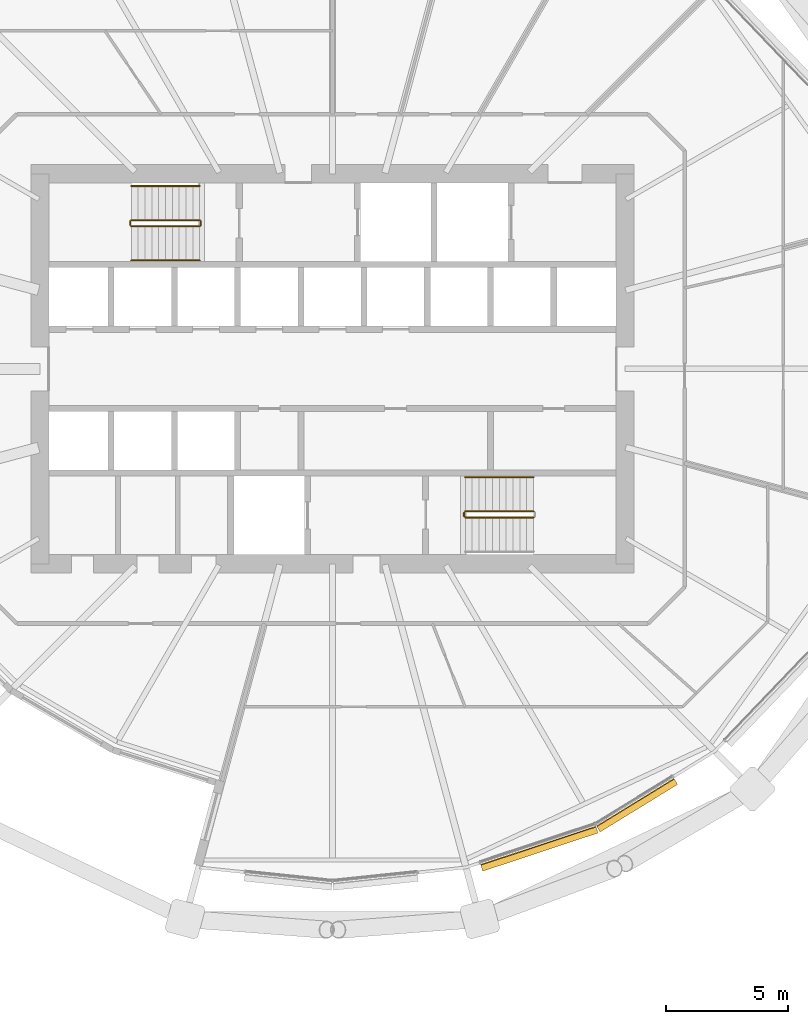
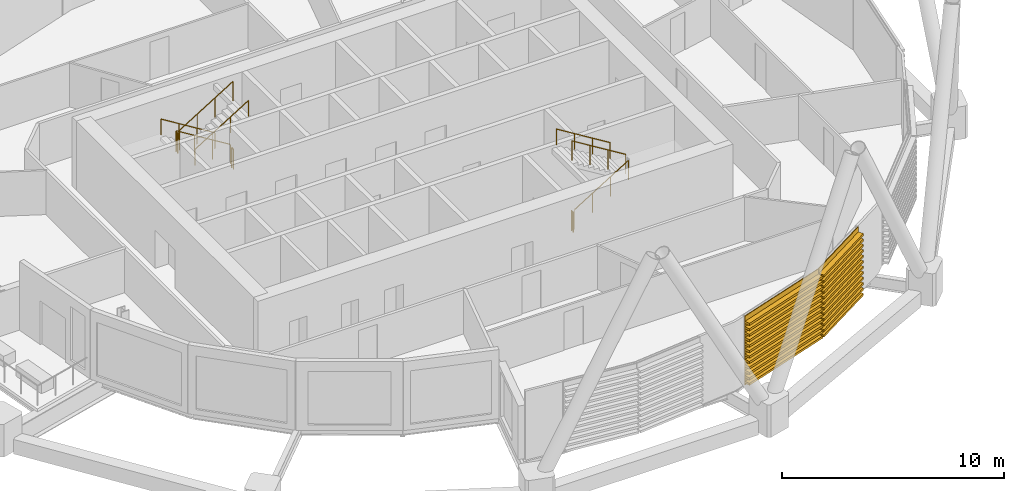
# One storey, part 32 of 38: 10 railings, 2 coverings.
"""IFC4 building model written with IfcOpenShell, lengths in metres."""

import ifcopenshell
import ifcopenshell.guid

model = None  # the IFC model being written
_history = None  # IfcOwnerHistory: only IFC2X3 demands one
_inside = {}  # id of a spatial element -> (the spatial element, [elements in it])
_under = {}  # id of a project, library or spatial element -> (it, [spatial elements below it])
_declared = {}  # id of a project -> (the project, [libraries it declares])
_typed = {}  # id of a type object -> (the type object, [elements of that type])
_made_of = {}  # id of a material, layer set ... -> (it, [elements and type objects made of it])


def new_model(schema):
    """Start an empty IFC model of exactly this schema.

    Asked for "IFC4X3", IfcOpenShell would pick the latest addendum, in which some entities
    have other attributes; the version numbers below select the first issue.
    IFC2X3 requires an IfcOwnerHistory on every rooted entity: one is made here for all.
    """
    global model, _history
    if schema == "IFC4X3":
        model = ifcopenshell.file(schema_version=(4, 3, 0, 0))
    else:
        model = ifcopenshell.file(schema=schema)
    _inside.clear()
    _under.clear()
    _declared.clear()
    _typed.clear()
    _made_of.clear()
    _history = None
    if model.schema == "IFC2X3":
        org = make("IfcOrganization", Name="unknown")
        user = make(
            "IfcPersonAndOrganization",
            ThePerson=make("IfcPerson", FamilyName="unknown"),
            TheOrganization=org,
        )
        app = make(
            "IfcApplication",
            ApplicationDeveloper=org,
            Version="unknown",
            ApplicationFullName="unknown",
            ApplicationIdentifier="unknown",
        )
        _history = make(
            "IfcOwnerHistory",
            OwningUser=user,
            OwningApplication=app,
            ChangeAction="ADDED",
            CreationDate=0,
        )
    return model


def make(cls, **values):
    """One entity of the class cls with the attributes given. An attribute that is None is left unset."""
    return model.create_entity(
        cls, **{name: value for name, value in values.items() if value is not None}
    )


def rooted(cls, **values):
    """An entity with a GlobalId (a new one), such as an element, a storey or a relation."""
    return make(cls, GlobalId=ifcopenshell.guid.new(), OwnerHistory=_history, **values)


def si_unit(unit_type, name, prefix=None):
    """IfcSIUnit, for example si_unit("LENGTHUNIT", "METRE", prefix="MILLI")."""
    return make("IfcSIUnit", UnitType=unit_type, Prefix=prefix, Name=name)


def assignment(units):
    """IfcUnitAssignment: the units of a project."""
    return None if units is None else make("IfcUnitAssignment", Units=units)


def point(xyz):
    """IfcCartesianPoint."""
    return None if xyz is None else make("IfcCartesianPoint", Coordinates=xyz)


def direction(xyz):
    """IfcDirection."""
    return None if xyz is None else make("IfcDirection", DirectionRatios=xyz)


def frame(location, z_axis=None, x_axis=None):
    """IfcAxis2Placement3D, a coordinate frame: its origin and axes. An axis left out is left unset."""
    return make(
        "IfcAxis2Placement3D",
        Location=point(location),
        Axis=direction(z_axis),
        RefDirection=direction(x_axis),
    )


def frame_2d(location, x_axis=None):
    """IfcAxis2Placement2D, a coordinate frame in the plane: its origin and x axis."""
    return make(
        "IfcAxis2Placement2D", Location=point(location), RefDirection=direction(x_axis)
    )


def origin():
    """The frame at (0, 0, 0) with its axes left unset."""
    return frame((0.0, 0.0, 0.0))


def origin_2d():
    """The frame at (0, 0) in the plane with its x axis left unset."""
    return frame_2d((0.0, 0.0))


def place(relative_to, where):
    """IfcLocalPlacement: puts the frame where relative to a parent placement (None: the world)."""
    return make(
        "IfcLocalPlacement", PlacementRelTo=relative_to, RelativePlacement=where
    )


def context(
    kind, dimensions, precision=None, world=None, true_north=None, identifier=None
):
    """IfcGeometricRepresentationContext, for example the 3D "Model" context."""
    return make(
        "IfcGeometricRepresentationContext",
        ContextIdentifier=identifier,
        ContextType=kind,
        CoordinateSpaceDimension=dimensions,
        Precision=precision,
        WorldCoordinateSystem=world,
        TrueNorth=true_north,
    )


def subcontext(parent, identifier, kind, view, scale=None):
    """IfcGeometricRepresentationSubContext, for example "Body" below "Model"."""
    return make(
        "IfcGeometricRepresentationSubContext",
        ContextIdentifier=identifier,
        ContextType=kind,
        ParentContext=parent,
        TargetScale=scale,
        TargetView=view,
    )


def project(units=None, contexts=None):
    """IfcProject with its units and contexts."""
    return rooted(
        "IfcProject",
        Name="project",
        RepresentationContexts=contexts,
        UnitsInContext=assignment(units),
    )


def spatial(cls, under=None, at=None, **own):
    """A site, building, storey or space (cls), placed at a placement, below another one or the project."""
    s = rooted(cls, ObjectPlacement=at, **own)
    if under is not None:
        _under.setdefault(under.id(), (under, []))[1].append(s)
    return s


def polyline(points):
    """IfcPolyline through the points."""
    return make("IfcPolyline", Points=[point(p) for p in points])


def profile(cls, at=None, kind="AREA", **sizes):
    """A parametric profile (cls). Its sizes go by their IFC names, for example OverallWidth=200.0."""
    return make(cls, ProfileType=kind, Position=at, **sizes)


def circle(**sizes):
    """IfcCircleProfileDef."""
    return profile("IfcCircleProfileDef", **sizes)


def outline(outer, holes=None, kind="AREA"):
    """IfcArbitraryClosedProfileDef: a profile drawn as a closed curve; with holes, ...WithVoids."""
    if holes is None:
        return make("IfcArbitraryClosedProfileDef", ProfileType=kind, OuterCurve=outer)
    return make(
        "IfcArbitraryProfileDefWithVoids",
        ProfileType=kind,
        OuterCurve=outer,
        InnerCurves=holes,
    )


def extrude(swept, where, along, depth):
    """IfcExtrudedAreaSolid: the profile swept, set in the frame where, extruded along a direction by depth."""
    return make(
        "IfcExtrudedAreaSolid",
        SweptArea=swept,
        Position=where,
        ExtrudedDirection=direction(along),
        Depth=depth,
    )


def shape(context_of_items, identifier, shape_type, items):
    """IfcShapeRepresentation: the items that make up one representation, for example the "Body"."""
    return make(
        "IfcShapeRepresentation",
        ContextOfItems=context_of_items,
        RepresentationIdentifier=identifier,
        RepresentationType=shape_type,
        Items=items,
    )


def material(Name=None, Category=None):
    """IfcMaterial."""
    return make("IfcMaterial", Name=Name, Category=Category)


def material_profile(
    of_material, cross_section, Name=None, Category=None, Priority=None
):
    """IfcMaterialProfile: a cross section and its material."""
    return make(
        "IfcMaterialProfile",
        Name=Name,
        Material=of_material,
        Profile=cross_section,
        Priority=Priority,
        Category=Category,
    )


def profile_set(profiles, Name=None, composite=None):
    """IfcMaterialProfileSet."""
    return make(
        "IfcMaterialProfileSet",
        Name=Name,
        MaterialProfiles=profiles,
        CompositeProfile=composite,
    )


def made_of(thing, what):
    """Note that an element or type object is made of a material, layer set ...; save() writes the relation."""
    if what is not None:
        _made_of.setdefault(what.id(), (what, []))[1].append(thing)
    return thing


def type_object(cls, material=None, **own):
    """A type object (cls), such as IfcWallType, which elements share."""
    return made_of(rooted(cls, **own), material)


def element(
    cls,
    number,
    at=None,
    inside=None,
    cuts=None,
    type_object=None,
    material=None,
    context=None,
    identifier="Body",
    shape_type=None,
    held_by="IfcProductDefinitionShape",
    body=None,
    shapes=None,
    **own,
):
    """One element of the class cls, such as IfcWall. Its Tag is "e" and its number.

    at: its placement. inside: the storey or other place that contains it. cuts: it is an
    opening in that element (IfcRelVoidsElement). A single representation is given by context,
    identifier, shape_type and body (its items); several are given by shapes. held_by: the class
    of the entity that holds the representations. save() writes the other relations.
    """
    e = rooted(cls, Tag="e%d" % number, ObjectPlacement=at, **own)
    if body is not None:
        shapes = [shape(context, identifier, shape_type, body)]
    if shapes is not None:
        e.Representation = make(held_by, Representations=shapes)
    if inside is not None:
        _inside.setdefault(inside.id(), (inside, []))[1].append(e)
    if cuts is not None:
        rooted(
            "IfcRelVoidsElement", RelatingBuildingElement=cuts, RelatedOpeningElement=e
        )
    if type_object is not None:
        _typed.setdefault(type_object.id(), (type_object, []))[1].append(e)
    return made_of(e, material)


def aggregate(whole, parts):
    """IfcRelAggregates: a whole, such as a stair, and the parts it consists of."""
    return rooted("IfcRelAggregates", RelatingObject=whole, RelatedObjects=parts)


def save(model, path):
    """Write the relations noted so far, then the file.

    IfcRelAggregates (storeys below a building ...), IfcRelContainedInSpatialStructure (elements
    in a storey), IfcRelDefinesByType, IfcRelAssociatesMaterial and IfcRelDeclares: one each for
    every whole, place, type object, material and project.
    """
    for whole, parts in _under.values():
        aggregate(whole, parts)
    for where, things in _inside.values():
        rooted(
            "IfcRelContainedInSpatialStructure",
            RelatedElements=things,
            RelatingStructure=where,
        )
    for kind, things in _typed.values():
        rooted("IfcRelDefinesByType", RelatedObjects=things, RelatingType=kind)
    for what, things in _made_of.values():
        rooted("IfcRelAssociatesMaterial", RelatedObjects=things, RelatingMaterial=what)
    for by, libraries in _declared.values():
        rooted("IfcRelDeclares", RelatingContext=by, RelatedDefinitions=libraries)
    model.write(path)


model = new_model("IFC4")

# Units and contexts
model_context = context("Model", 3, precision=1e-05, world=origin(), true_north=direction((0.0, 1.0)))
body_context = subcontext(model_context, "Body", "Model", "MODEL_VIEW")
ifc_project = project(units=[si_unit("LENGTHUNIT", "METRE"), si_unit("AREAUNIT", "SQUARE_METRE"), si_unit("VOLUMEUNIT", "CUBIC_METRE"), si_unit("PLANEANGLEUNIT", "RADIAN"), si_unit("MASSUNIT", "GRAM", prefix="KILO")], contexts=[model_context])

# Site, building, storey
site_placement = place(None, origin())
site = spatial("IfcSite", under=ifc_project, at=site_placement, CompositionType="ELEMENT")
building_placement = place(site_placement, origin())
building = spatial("IfcBuilding", under=site, at=building_placement, Name="Rimbun Link Towers", CompositionType="ELEMENT")
storey_placement = place(building_placement, frame((0.0, 0.0, 93.0)))
storey = spatial("IfcBuildingStorey", under=building, at=storey_placement, Name="L22", CompositionType="ELEMENT", Elevation=93.0)

# Railings
ifc_material_1 = material(Name="Stainless steel grade 316", Category="steel")
railing_type_1 = type_object("IfcRailingType", Name="Stair guard", PredefinedType="GUARDRAIL", material=ifc_material_1)
railing_1_placement = place(storey_placement, frame((-37.199951171875, 6.10009765625, 0.172607421875)))
element("IfcRailing", 1, at=railing_1_placement, inside=storey, type_object=railing_type_1, Name="L22 ST1 stair guard 1", PredefinedType="GUARDRAIL", context=body_context, shape_type="SweptSolid", body=[
    extrude(circle(Radius=0.02392578125, at=origin_2d()), frame((0.0, 0.0, 1.076171875), z_axis=(-0.851089632645, 0.0, 0.525020415988), x_axis=(0.0, -1.0, 0.0)), (0.0, 0.0, 1.0), 3.2900390625),
    extrude(circle(Radius=0.02099609375, at=origin_2d()), origin(), (0.0, 0.0, 1.0), 1.052001953125),
    extrude(circle(Radius=0.02099609375, at=origin_2d()), frame((-0.933349609375, 0.0, 0.57568359375)), (0.0, 0.0, 1.0), 1.052001953125),
    extrude(circle(Radius=0.02099609375, at=origin_2d()), frame((-1.86669921875, 0.0, 1.151611328125)), (0.0, 0.0, 1.0), 1.052001953125),
    extrude(circle(Radius=0.02099609375, at=origin_2d()), frame((-2.800048828125, 0.0, 1.727294921875)), (0.0, 0.0, 1.0), 1.052001953125),
])
railing_2_placement = place(storey_placement, frame((-40.050048828125, 6.050048828125, 1.89990234375)))
element("IfcRailing", 2, at=railing_2_placement, inside=storey, type_object=railing_type_1, Name="L22 ST1 stair guard 2", PredefinedType="GUARDRAIL", context=body_context, shape_type="SweptSolid", body=[
    extrude(circle(Radius=0.02392578125, at=origin_2d()), frame((0.0, 0.0, 1.076171875), z_axis=(0.0, -1.0, 0.0), x_axis=(1.0, 0.0, 0.0)), (0.0, 0.0, 1.0), 0.150146484375),
    extrude(circle(Radius=0.02099609375, at=origin_2d()), origin(), (0.0, 0.0, 1.0), 1.052001953125),
    extrude(circle(Radius=0.02099609375, at=origin_2d()), frame((0.0, -0.150146484375, 0.0)), (0.0, 0.0, 1.0), 1.052001953125),
])
railing_3_placement = place(storey_placement, frame((-40.0, 5.85009765625, 2.07275390625)))
element("IfcRailing", 3, at=railing_3_placement, inside=storey, type_object=railing_type_1, Name="L22 ST1 stair guard 3", PredefinedType="GUARDRAIL", context=body_context, shape_type="SweptSolid", body=[
    extrude(circle(Radius=0.02392578125, at=origin_2d()), frame((0.0, 0.0, 1.076171875), z_axis=(0.851089632645, 0.0, 0.525020415988), x_axis=(0.0, 1.0, 0.0)), (0.0, 0.0, 1.0), 3.2900390625),
    extrude(circle(Radius=0.02099609375, at=origin_2d()), origin(), (0.0, 0.0, 1.0), 1.052001953125),
    extrude(circle(Radius=0.02099609375, at=origin_2d()), frame((0.933349609375, 0.0, 0.57568359375)), (0.0, 0.0, 1.0), 1.052001953125),
    extrude(circle(Radius=0.02099609375, at=origin_2d()), frame((1.86669921875, 0.0, 1.151611328125)), (0.0, 0.0, 1.0), 1.052001953125),
    extrude(circle(Radius=0.02099609375, at=origin_2d()), frame((2.800048828125, 0.0, 1.727294921875)), (0.0, 0.0, 1.0), 1.052001953125),
])
railing_4_placement = place(storey_placement, frame((-37.14990234375, 6.050048828125, 0.0)))
element("IfcRailing", 4, at=railing_4_placement, inside=storey, type_object=railing_type_1, Name="L22 ST1 stair guard 4", PredefinedType="GUARDRAIL", context=body_context, shape_type="SweptSolid", body=[
    extrude(circle(Radius=0.02392578125, at=origin_2d()), frame((0.0, 0.0, 1.076171875), z_axis=(0.0, -1.0, 0.0), x_axis=(1.0, 0.0, 0.0)), (0.0, 0.0, 1.0), 0.150146484375),
    extrude(circle(Radius=0.02099609375, at=origin_2d()), origin(), (0.0, 0.0, 1.0), 1.052001953125),
    extrude(circle(Radius=0.02099609375, at=origin_2d()), frame((0.0, -0.150146484375, 0.0)), (0.0, 0.0, 1.0), 1.052001953125),
])
railing_5_placement = place(storey_placement, frame((-26.300048828125, -6.10009765625, 0.172607421875)))
element("IfcRailing", 5, at=railing_5_placement, inside=storey, type_object=railing_type_1, Name="L22 ST2 stair guard 1", PredefinedType="GUARDRAIL", context=body_context, shape_type="SweptSolid", body=[
    extrude(circle(Radius=0.02392578125, at=origin_2d()), frame((0.0, 0.0, 1.076171875), z_axis=(0.851089632645, 0.0, 0.525020415988), x_axis=(0.0, 1.0, 0.0)), (0.0, 0.0, 1.0), 3.2900390625),
    extrude(circle(Radius=0.02099609375, at=origin_2d()), origin(), (0.0, 0.0, 1.0), 1.052001953125),
    extrude(circle(Radius=0.02099609375, at=origin_2d()), frame((0.933349609375, 0.0, 0.57568359375)), (0.0, 0.0, 1.0), 1.052001953125),
    extrude(circle(Radius=0.02099609375, at=origin_2d()), frame((1.86669921875, 0.0, 1.151611328125)), (0.0, 0.0, 1.0), 1.052001953125),
    extrude(circle(Radius=0.02099609375, at=origin_2d()), frame((2.800048828125, 0.0, 1.727294921875)), (0.0, 0.0, 1.0), 1.052001953125),
])
railing_6_placement = place(storey_placement, frame((-23.5, -5.85009765625, 2.07275390625)))
element("IfcRailing", 6, at=railing_6_placement, inside=storey, type_object=railing_type_1, Name="L22 ST2 stair guard 3", PredefinedType="GUARDRAIL", context=body_context, shape_type="SweptSolid", body=[
    extrude(circle(Radius=0.02392578125, at=origin_2d()), frame((0.0, 0.0, 1.076171875), z_axis=(-0.851089632645, 0.0, 0.525020415988), x_axis=(0.0, -1.0, 0.0)), (0.0, 0.0, 1.0), 3.2900390625),
    extrude(circle(Radius=0.02099609375, at=origin_2d()), origin(), (0.0, 0.0, 1.0), 1.052001953125),
    extrude(circle(Radius=0.02099609375, at=origin_2d()), frame((-0.933349609375, 0.0, 0.57568359375)), (0.0, 0.0, 1.0), 1.052001953125),
    extrude(circle(Radius=0.02099609375, at=origin_2d()), frame((-1.86669921875, 0.0, 1.151611328125)), (0.0, 0.0, 1.0), 1.052001953125),
    extrude(circle(Radius=0.02099609375, at=origin_2d()), frame((-2.800048828125, 0.0, 1.727294921875)), (0.0, 0.0, 1.0), 1.052001953125),
])
railing_7_placement = place(storey_placement, frame((-26.35009765625, -6.050048828125, 0.0)))
element("IfcRailing", 7, at=railing_7_placement, inside=storey, type_object=railing_type_1, Name="L22 ST2 stair guard 4", PredefinedType="GUARDRAIL", context=body_context, shape_type="SweptSolid", body=[
    extrude(circle(Radius=0.02392578125, at=origin_2d()), frame((0.0, 0.0, 1.076171875), z_axis=(0.0, 1.0, 0.0), x_axis=(-1.0, 0.0, 0.0)), (0.0, 0.0, 1.0), 0.150146484375),
    extrude(circle(Radius=0.02099609375, at=origin_2d()), origin(), (0.0, 0.0, 1.0), 1.052001953125),
    extrude(circle(Radius=0.02099609375, at=origin_2d()), frame((0.0, 0.150146484375, 0.0)), (0.0, 0.0, 1.0), 1.052001953125),
])
ifc_material_2 = material(Name="Stainless steel grade 316", Category="steel")
railing_type_2 = type_object("IfcRailingType", Name="Stair handrail", PredefinedType="HANDRAIL", material=ifc_material_2)
railing_8_placement = place(storey_placement, frame((-37.199951171875, 7.5, 0.172607421875)))
element("IfcRailing", 8, at=railing_8_placement, inside=storey, type_object=railing_type_2, Name="L22 ST1 stair handrail 1", PredefinedType="HANDRAIL", context=body_context, shape_type="SweptSolid", body=[
    extrude(circle(Radius=0.02392578125, at=origin_2d()), frame((0.0, 0.0, 0.8759765625), z_axis=(-0.851089632645, 0.0, 0.525020415988), x_axis=(0.0, -1.0, 0.0)), (0.0, 0.0, 1.0), 3.2900390625),
    extrude(circle(Radius=0.02099609375, at=origin_2d()), origin(), (0.0, 0.0, 1.0), 0.851806640625),
    extrude(circle(Radius=0.02099609375, at=origin_2d()), frame((-0.933349609375, 0.0, 0.57568359375)), (0.0, 0.0, 1.0), 0.851806640625),
    extrude(circle(Radius=0.02099609375, at=origin_2d()), frame((-1.86669921875, 0.0, 1.151611328125)), (0.0, 0.0, 1.0), 0.851806640625),
    extrude(circle(Radius=0.02099609375, at=origin_2d()), frame((-2.800048828125, 0.0, 1.727294921875)), (0.0, 0.0, 1.0), 0.851806640625),
])
railing_9_placement = place(storey_placement, frame((-40.0, 4.449951171875, 2.07275390625)))
element("IfcRailing", 9, at=railing_9_placement, inside=storey, type_object=railing_type_2, Name="L22 ST1 stair handrail 2", PredefinedType="HANDRAIL", context=body_context, shape_type="SweptSolid", body=[
    extrude(circle(Radius=0.02392578125, at=origin_2d()), frame((0.0, 0.0, 0.8759765625), z_axis=(0.851089632645, 0.0, 0.525020415988), x_axis=(0.0, 1.0, 0.0)), (0.0, 0.0, 1.0), 3.2900390625),
    extrude(circle(Radius=0.02099609375, at=origin_2d()), origin(), (0.0, 0.0, 1.0), 0.851806640625),
    extrude(circle(Radius=0.02099609375, at=origin_2d()), frame((0.933349609375, 0.0, 0.57568359375)), (0.0, 0.0, 1.0), 0.851806640625),
    extrude(circle(Radius=0.02099609375, at=origin_2d()), frame((1.86669921875, 0.0, 1.151611328125)), (0.0, 0.0, 1.0), 0.851806640625),
    extrude(circle(Radius=0.02099609375, at=origin_2d()), frame((2.800048828125, 0.0, 1.727294921875)), (0.0, 0.0, 1.0), 0.851806640625),
])
railing_10_placement = place(storey_placement, frame((-23.5, -4.449951171875, 2.07275390625)))
element("IfcRailing", 10, at=railing_10_placement, inside=storey, type_object=railing_type_2, Name="L22 ST2 stair handrail 2", PredefinedType="HANDRAIL", context=body_context, shape_type="SweptSolid", body=[
    extrude(circle(Radius=0.02392578125, at=origin_2d()), frame((0.0, 0.0, 0.8759765625), z_axis=(-0.851089632645, 0.0, 0.525020415988), x_axis=(0.0, -1.0, 0.0)), (0.0, 0.0, 1.0), 3.2900390625),
    extrude(circle(Radius=0.02099609375, at=origin_2d()), origin(), (0.0, 0.0, 1.0), 0.851806640625),
    extrude(circle(Radius=0.02099609375, at=origin_2d()), frame((-0.933349609375, 0.0, 0.57568359375)), (0.0, 0.0, 1.0), 0.851806640625),
    extrude(circle(Radius=0.02099609375, at=origin_2d()), frame((-1.86669921875, 0.0, 1.151611328125)), (0.0, 0.0, 1.0), 0.851806640625),
    extrude(circle(Radius=0.02099609375, at=origin_2d()), frame((-2.800048828125, 0.0, 1.727294921875)), (0.0, 0.0, 1.0), 0.851806640625),
])

# Coverings
ifc_material_3 = material(Name="Terracotta", Category="masonry")
ifc_material_profile = material_profile(ifc_material_3, outline(polyline([(0.123046875, 0.0), (0.1630859375, 0.0), (0.1630859375, 0.10009765625), (0.423095703125, 0.10009765625), (0.423095703125, 0.219970703125), (0.1630859375, 0.219970703125), (0.1630859375, 0.39990234375), (0.423095703125, 0.39990234375), (0.423095703125, 0.52001953125), (0.1630859375, 0.52001953125), (0.1630859375, 0.699951171875), (0.423095703125, 0.699951171875), (0.423095703125, 0.820068359375), (0.1630859375, 0.820068359375), (0.1630859375, 1.0), (0.423095703125, 1.0), (0.423095703125, 1.1201171875), (0.1630859375, 1.1201171875), (0.1630859375, 1.300048828125), (0.423095703125, 1.300048828125), (0.423095703125, 1.419921875), (0.1630859375, 1.419921875), (0.1630859375, 1.60009765625), (0.423095703125, 1.60009765625), (0.423095703125, 1.719970703125), (0.1630859375, 1.719970703125), (0.1630859375, 1.89990234375), (0.423095703125, 1.89990234375), (0.423095703125, 2.02001953125), (0.1630859375, 2.02001953125), (0.1630859375, 2.199951171875), (0.423095703125, 2.199951171875), (0.423095703125, 2.320068359375), (0.1630859375, 2.320068359375), (0.1630859375, 2.5), (0.423095703125, 2.5), (0.423095703125, 2.6201171875), (0.1630859375, 2.6201171875), (0.1630859375, 2.800048828125), (0.423095703125, 2.800048828125), (0.423095703125, 2.919921875), (0.1630859375, 2.919921875), (0.1630859375, 3.10009765625), (0.423095703125, 3.10009765625), (0.423095703125, 3.219970703125), (0.1630859375, 3.219970703125), (0.1630859375, 3.39990234375), (0.423095703125, 3.39990234375), (0.423095703125, 3.52001953125), (0.1630859375, 3.52001953125), (0.1630859375, 3.800048828125), (0.123046875, 3.800048828125), (0.123046875, 0.0)])), Name="BAGUETTE 120X300")
ifc_profile_set = profile_set([ifc_material_profile], Name="Terracotta")
covering_type = type_object("IfcCoveringType", Name="TERRACOTTA BAGUETTE 120X300 H3800", PredefinedType="CLADDING", material=ifc_profile_set)
covering_1_placement = place(storey_placement, frame((-20.985107421875, -18.6455078125, 0.0), z_axis=(-0.949230755565, -0.314580629871, 0.0), x_axis=(0.314580629871, -0.949230755565, 0.0)))
element("IfcCovering", 11, at=covering_1_placement, inside=storey, type_object=covering_type, Name="TERRACOTTA BAGUETTE", PredefinedType="CLADDING", context=body_context, shape_type="SweptSolid", body=[
    extrude(outline(polyline([(0.123046875, 0.0), (0.1630859375, 0.0), (0.1630859375, 0.10009765625), (0.423095703125, 0.10009765625), (0.423095703125, 0.219970703125), (0.1630859375, 0.219970703125), (0.1630859375, 0.39990234375), (0.423095703125, 0.39990234375), (0.423095703125, 0.52001953125), (0.1630859375, 0.52001953125), (0.1630859375, 0.699951171875), (0.423095703125, 0.699951171875), (0.423095703125, 0.820068359375), (0.1630859375, 0.820068359375), (0.1630859375, 1.0), (0.423095703125, 1.0), (0.423095703125, 1.1201171875), (0.1630859375, 1.1201171875), (0.1630859375, 1.300048828125), (0.423095703125, 1.300048828125), (0.423095703125, 1.419921875), (0.1630859375, 1.419921875), (0.1630859375, 1.60009765625), (0.423095703125, 1.60009765625), (0.423095703125, 1.719970703125), (0.1630859375, 1.719970703125), (0.1630859375, 1.89990234375), (0.423095703125, 1.89990234375), (0.423095703125, 2.02001953125), (0.1630859375, 2.02001953125), (0.1630859375, 2.199951171875), (0.423095703125, 2.199951171875), (0.423095703125, 2.320068359375), (0.1630859375, 2.320068359375), (0.1630859375, 2.5), (0.423095703125, 2.5), (0.423095703125, 2.6201171875), (0.1630859375, 2.6201171875), (0.1630859375, 2.800048828125), (0.423095703125, 2.800048828125), (0.423095703125, 2.919921875), (0.1630859375, 2.919921875), (0.1630859375, 3.10009765625), (0.423095703125, 3.10009765625), (0.423095703125, 3.219970703125), (0.1630859375, 3.219970703125), (0.1630859375, 3.39990234375), (0.423095703125, 3.39990234375), (0.423095703125, 3.52001953125), (0.1630859375, 3.52001953125), (0.1630859375, 3.800048828125), (0.123046875, 3.800048828125), (0.123046875, 0.0)])), origin(), (0.0, 0.0, 1.0), 4.981689453125),
])
covering_2_placement = place(storey_placement, frame((-17.806884765625, -16.694091796875, 0.0), z_axis=(-0.852186076531, -0.523238846959, 0.0), x_axis=(0.523238846959, -0.852186076531, 0.0)))
element("IfcCovering", 12, at=covering_2_placement, inside=storey, type_object=covering_type, Name="TERRACOTTA BAGUETTE", PredefinedType="CLADDING", context=body_context, shape_type="SweptSolid", body=[
    extrude(outline(polyline([(0.123046875, 0.0), (0.1630859375, 0.0), (0.1630859375, 0.10009765625), (0.423095703125, 0.10009765625), (0.423095703125, 0.219970703125), (0.1630859375, 0.219970703125), (0.1630859375, 0.39990234375), (0.423095703125, 0.39990234375), (0.423095703125, 0.52001953125), (0.1630859375, 0.52001953125), (0.1630859375, 0.699951171875), (0.423095703125, 0.699951171875), (0.423095703125, 0.820068359375), (0.1630859375, 0.820068359375), (0.1630859375, 1.0), (0.423095703125, 1.0), (0.423095703125, 1.1201171875), (0.1630859375, 1.1201171875), (0.1630859375, 1.300048828125), (0.423095703125, 1.300048828125), (0.423095703125, 1.419921875), (0.1630859375, 1.419921875), (0.1630859375, 1.60009765625), (0.423095703125, 1.60009765625), (0.423095703125, 1.719970703125), (0.1630859375, 1.719970703125), (0.1630859375, 1.89990234375), (0.423095703125, 1.89990234375), (0.423095703125, 2.02001953125), (0.1630859375, 2.02001953125), (0.1630859375, 2.199951171875), (0.423095703125, 2.199951171875), (0.423095703125, 2.320068359375), (0.1630859375, 2.320068359375), (0.1630859375, 2.5), (0.423095703125, 2.5), (0.423095703125, 2.6201171875), (0.1630859375, 2.6201171875), (0.1630859375, 2.800048828125), (0.423095703125, 2.800048828125), (0.423095703125, 2.919921875), (0.1630859375, 2.919921875), (0.1630859375, 3.10009765625), (0.423095703125, 3.10009765625), (0.423095703125, 3.219970703125), (0.1630859375, 3.219970703125), (0.1630859375, 3.39990234375), (0.423095703125, 3.39990234375), (0.423095703125, 3.52001953125), (0.1630859375, 3.52001953125), (0.1630859375, 3.800048828125), (0.123046875, 3.800048828125), (0.123046875, 0.0)])), origin(), (0.0, 0.0, 1.0), 3.7294921875),
])

save(model, "model.ifc")
